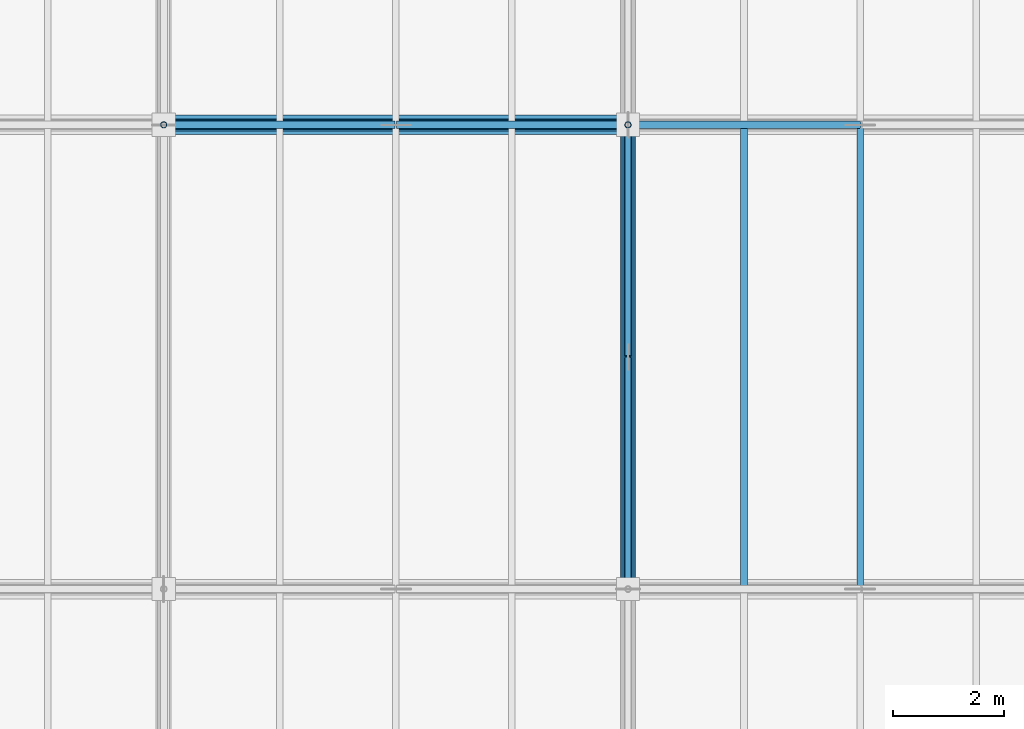
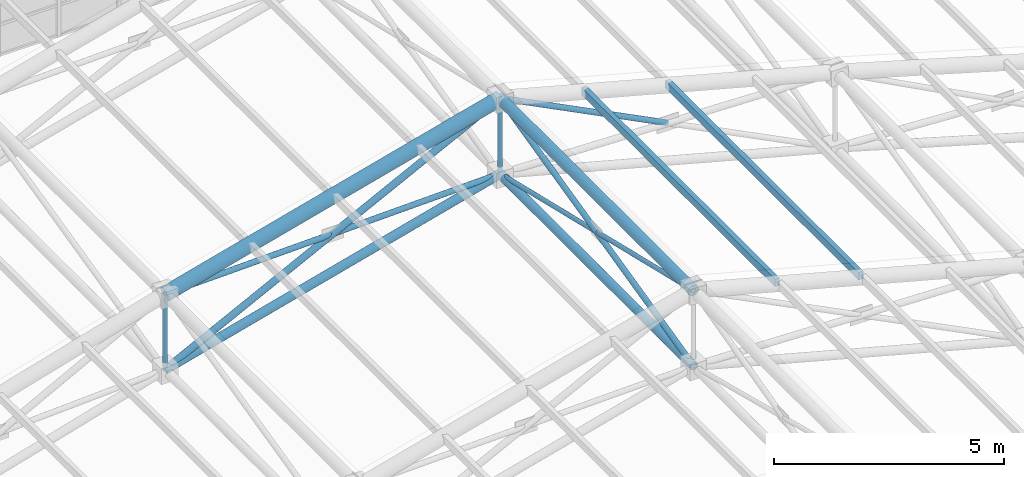
# One storey, part 47 of 144: 15 members.
"""IFC4 building model written with IfcOpenShell, lengths in metres."""

from ifc_helpers import new_model, si_unit, direction, frame, origin, origin_2d, place, context, subcontext, project, spatial, hollow_rectangle, hollow_circle, extrude, material, material_profile, profile_set, type_object, element, save


model = new_model("IFC4")

# Units and contexts
model_context = context("Model", 3, precision=1e-05, world=origin(), true_north=direction((0.0, 1.0)))
body_context = subcontext(model_context, "Body", "Model", "MODEL_VIEW")
ifc_project = project(units=[si_unit("LENGTHUNIT", "METRE"), si_unit("AREAUNIT", "SQUARE_METRE"), si_unit("VOLUMEUNIT", "CUBIC_METRE"), si_unit("PLANEANGLEUNIT", "RADIAN"), si_unit("MASSUNIT", "GRAM", prefix="KILO")], contexts=[model_context])

# Site, building, storey
site_placement = place(None, origin())
site = spatial("IfcSite", under=ifc_project, at=site_placement, CompositionType="ELEMENT")
building_placement = place(site_placement, origin())
building = spatial("IfcBuilding", under=site, at=building_placement, Name="Zayran Congress Hotel", CompositionType="ELEMENT")
storey_placement = place(building_placement, frame((0.0, 0.0, 19.199951171875)))
storey = spatial("IfcBuildingStorey", under=building, at=storey_placement, Name="L04", CompositionType="ELEMENT", Elevation=19.199951171875)

# Members
ifc_material = material(Name="Steel S355", Category="steel")
ifc_material_profile_1 = material_profile(ifc_material, hollow_circle(Radius=0.177734375, WallThickness=0.01611328125, at=origin_2d()), Name="CHS 355.6x16")
ifc_profile_set_1 = profile_set([ifc_material_profile_1], Name="Steel S355")
member_type_1 = type_object("IfcMemberType", Name="TP-SF-TC1", PredefinedType="CHORD", material=ifc_profile_set_1)
member_1_placement = place(storey_placement, frame((42.0, 84.39990234375, 12.35205078125), z_axis=(0.965947299715, 0.0, 0.258738891884), x_axis=(0.0, 1.0, 0.0)))
element("IfcMember", 1, at=member_1_placement, inside=storey, type_object=member_type_1, Name="Space Frame Top Chord X 235", PredefinedType="CHORD", context=body_context, shape_type="SweptSolid", body=[
    extrude(hollow_circle(Radius=0.177734375, WallThickness=0.01611328125, at=origin_2d()), origin(), (0.0, 0.0, 1.0), 8.696044921875),
])
ifc_material_profile_2 = material_profile(ifc_material, hollow_circle(Radius=0.136474609375, WallThickness=0.012451171875, at=origin_2d()), Name="CHS 273x12.5")
ifc_profile_set_2 = profile_set([ifc_material_profile_2], Name="Steel S355")
member_type_2 = type_object("IfcMemberType", Name="TP-SF-TC2", PredefinedType="CHORD", material=ifc_profile_set_2)
member_2_placement = place(storey_placement, frame((50.39990234375, 76.0, 14.60205078125), z_axis=(0.0, 1.0, 0.0), x_axis=(-1.0, 0.0, 0.0)))
element("IfcMember", 2, at=member_2_placement, inside=storey, type_object=member_type_2, Name="Space Frame Top Chord Y 285", PredefinedType="CHORD", context=body_context, shape_type="SweptSolid", body=[
    extrude(hollow_circle(Radius=0.136474609375, WallThickness=0.012451171875, at=origin_2d()), origin(), (0.0, 0.0, 1.0), 8.39990234375),
])
ifc_material_profile_3 = material_profile(ifc_material, hollow_circle(Radius=0.109619140625, WallThickness=0.010009765625, at=origin_2d()), Name="CHS 219.1x10")
ifc_profile_set_3 = profile_set([ifc_material_profile_3], Name="Steel S355")
member_type_3 = type_object("IfcMemberType", Name="TP-SF-BC1", PredefinedType="CHORD", material=ifc_profile_set_3)
member_3_placement = place(storey_placement, frame((42.0, 84.39990234375, 10.35009765625), z_axis=(0.965947299715, 0.0, 0.258738891884), x_axis=(0.0, 1.0, 0.0)))
element("IfcMember", 3, at=member_3_placement, inside=storey, type_object=member_type_3, Name="Space Frame Bottom Chord X 236", PredefinedType="CHORD", context=body_context, shape_type="SweptSolid", body=[
    extrude(hollow_circle(Radius=0.109619140625, WallThickness=0.010009765625, at=origin_2d()), origin(), (0.0, 0.0, 1.0), 8.696044921875),
])
member_4_placement = place(storey_placement, frame((50.39990234375, 76.0, 12.60009765625), z_axis=(0.0, 1.0, 0.0), x_axis=(-1.0, 0.0, 0.0)))
element("IfcMember", 4, at=member_4_placement, inside=storey, type_object=member_type_3, Name="Space Frame Bottom Chord Y 286", PredefinedType="CHORD", context=body_context, shape_type="SweptSolid", body=[
    extrude(hollow_circle(Radius=0.109619140625, WallThickness=0.010009765625, at=origin_2d()), origin(), (0.0, 0.0, 1.0), 8.39990234375),
])
ifc_material_profile_4 = material_profile(ifc_material, hollow_circle(Radius=0.084228515625, WallThickness=0.008056640625, at=origin_2d()), Name="CHS 168.3x8")
ifc_profile_set_4 = profile_set([ifc_material_profile_4], Name="Steel S355")
member_type_4 = type_object("IfcMemberType", Name="TP-SF-DG1", PredefinedType="BRACE", material=ifc_profile_set_4)
member_5_placement = place(storey_placement, frame((42.0, 84.39990234375, 10.35009765625), z_axis=(0.892206892975, 0.0, 0.451626903681), x_axis=(0.0, 1.0, 0.0)))
element("IfcMember", 5, at=member_5_placement, inside=storey, type_object=member_type_4, Name="Space Frame Web Diagonal X 237", PredefinedType="BRACE", context=body_context, shape_type="SweptSolid", body=[
    extrude(hollow_circle(Radius=0.084228515625, WallThickness=0.008056640625, at=origin_2d()), origin(), (0.0, 0.0, 1.0), 9.414794921875),
])
ifc_material_profile_5 = material_profile(ifc_material, hollow_circle(Radius=0.06982421875, WallThickness=0.00634765625, at=origin_2d()), Name="CHS 139.7x6.3")
ifc_profile_set_5 = profile_set([ifc_material_profile_5], Name="Steel S355")
member_type_5 = type_object("IfcMemberType", Name="TP-SF-DG2", PredefinedType="BRACE", material=ifc_profile_set_5)
member_6_placement = place(storey_placement, frame((42.0, 84.39990234375, 12.35205078125), z_axis=(0.999564624123, 0.0, 0.029505291087), x_axis=(0.0, 1.0, 0.0)))
element("IfcMember", 6, at=member_6_placement, inside=storey, type_object=member_type_5, Name="Space Frame Counter Diagonal X Upper 238", PredefinedType="BRACE", context=body_context, shape_type="SweptSolid", body=[
    extrude(hollow_circle(Radius=0.06982421875, WallThickness=0.00634765625, at=origin_2d()), origin(), (0.0, 0.0, 1.0), 4.186767578125),
])
member_7_placement = place(storey_placement, frame((46.215087890625, 84.39990234375, 12.4765625), z_axis=(0.999564573355, 0.0, 0.029507010916), x_axis=(0.0, 1.0, 0.0)))
element("IfcMember", 7, at=member_7_placement, inside=storey, type_object=member_type_5, Name="Space Frame Counter Diagonal X Lower 37", PredefinedType="BRACE", context=body_context, shape_type="SweptSolid", body=[
    extrude(hollow_circle(Radius=0.06982421875, WallThickness=0.00634765625, at=origin_2d()), origin(), (0.0, 0.0, 1.0), 4.1865234375),
])
member_8_placement = place(storey_placement, frame((50.39990234375, 76.0, 12.60009765625), z_axis=(0.0, 0.97275461998, 0.231837118056), x_axis=(-1.0, 0.0, 0.0)))
element("IfcMember", 8, at=member_8_placement, inside=storey, type_object=member_type_5, Name="Space Frame Web Diagonal Y 287", PredefinedType="BRACE", context=body_context, shape_type="SweptSolid", body=[
    extrude(hollow_circle(Radius=0.06982421875, WallThickness=0.00634765625, at=origin_2d()), origin(), (0.0, 0.0, 1.0), 8.63525390625),
])
member_9_placement = place(storey_placement, frame((50.39990234375, 84.39990234375, 14.60205078125), z_axis=(0.892220848392, 0.0, -0.451599333142), x_axis=(0.0, 1.0, 0.0)))
element("IfcMember", 9, at=member_9_placement, inside=storey, type_object=member_type_5, Name="Space Frame Counter Diagonal X Upper 293", PredefinedType="BRACE", context=body_context, shape_type="SweptSolid", body=[
    extrude(hollow_circle(Radius=0.06982421875, WallThickness=0.00634765625, at=origin_2d()), origin(), (0.0, 0.0, 1.0), 4.692626953125),
])
ifc_material_profile_6 = material_profile(ifc_material, hollow_circle(Radius=0.05712890625, WallThickness=0.00634765625, at=origin_2d()), Name="CHS 114.3x6.3")
ifc_profile_set_6 = profile_set([ifc_material_profile_6], Name="Steel S355")
member_type_6 = type_object("IfcMemberType", Name="TP-SF-DG3", PredefinedType="BRACE", material=ifc_profile_set_6)
member_10_placement = place(storey_placement, frame((42.0, 84.39990234375, 10.35009765625), z_axis=(0.0, 0.0, 1.0), x_axis=(0.0, 1.0, 0.0)))
element("IfcMember", 10, at=member_10_placement, inside=storey, type_object=member_type_6, Name="Space Frame Web Strut 242", PredefinedType="BRACE", context=body_context, shape_type="SweptSolid", body=[
    extrude(hollow_circle(Radius=0.05712890625, WallThickness=0.00634765625, at=origin_2d()), origin(), (0.0, 0.0, 1.0), 2.001953125),
])
for number, where, z_axis, x_axis, name in (
    (11, (50.39990234375, 76.0, 14.60205078125), (0.0, 0.972750782967, -0.23185321701), (-1.0, 0.0, 0.0), "Space Frame Bracing Diagonal Y Upper 288"),
    (12, (50.39990234375, 80.214599609375, 13.59765625), (0.0, 0.972750782967, -0.23185321701), (-1.0, 0.0, 0.0), "Space Frame Bracing Diagonal Y Lower 45"),
):
    element("IfcMember", number, at=place(storey_placement, frame(where, z_axis=z_axis, x_axis=x_axis)), inside=storey, type_object=member_type_6, Name=name, PredefinedType="BRACE", context=body_context, shape_type="SweptSolid", body=[
        extrude(hollow_circle(Radius=0.05712890625, WallThickness=0.00634765625, at=origin_2d()), origin(), (0.0, 0.0, 1.0), 4.302490234375),
    ])
member_11_placement = place(storey_placement, frame((50.39990234375, 84.39990234375, 12.60009765625), z_axis=(0.0, 0.0, 1.0), x_axis=(0.0, 1.0, 0.0)))
element("IfcMember", 13, at=member_11_placement, inside=storey, type_object=member_type_6, Name="Space Frame Web Strut 298", PredefinedType="BRACE", context=body_context, shape_type="SweptSolid", body=[
    extrude(hollow_circle(Radius=0.05712890625, WallThickness=0.00634765625, at=origin_2d()), origin(), (0.0, 0.0, 1.0), 2.001953125),
])
ifc_material_profile_7 = material_profile(ifc_material, hollow_rectangle(XDim=0.1201171875, YDim=0.199951171875, WallThickness=0.008056640625, at=origin_2d()), Name="RHS 200x120x8")
ifc_profile_set_7 = profile_set([ifc_material_profile_7], Name="Steel S355")
member_type_7 = type_object("IfcMemberType", Name="TP-PR-01", PredefinedType="PURLIN", material=ifc_profile_set_7)
for number, where, z_axis, x_axis, name in (
    (14, (52.5, 76.0, 14.08154296875), (0.0, 1.0, 0.0), (-1.0, 0.0, 0.0), "MEM-PR-V1-0092"),
    (15, (54.60009765625, 76.0, 13.51904296875), (0.0, 1.0, 0.0), (-1.0, 0.0, 0.0), "MEM-PR-V1-0098"),
):
    element("IfcMember", number, at=place(storey_placement, frame(where, z_axis=z_axis, x_axis=x_axis)), inside=storey, type_object=member_type_7, Name=name, PredefinedType="PURLIN", context=body_context, shape_type="SweptSolid", body=[
        extrude(hollow_rectangle(XDim=0.1201171875, YDim=0.199951171875, WallThickness=0.008056640625, at=origin_2d()), origin(), (0.0, 0.0, 1.0), 8.39990234375),
    ])

save(model, "model.ifc")
